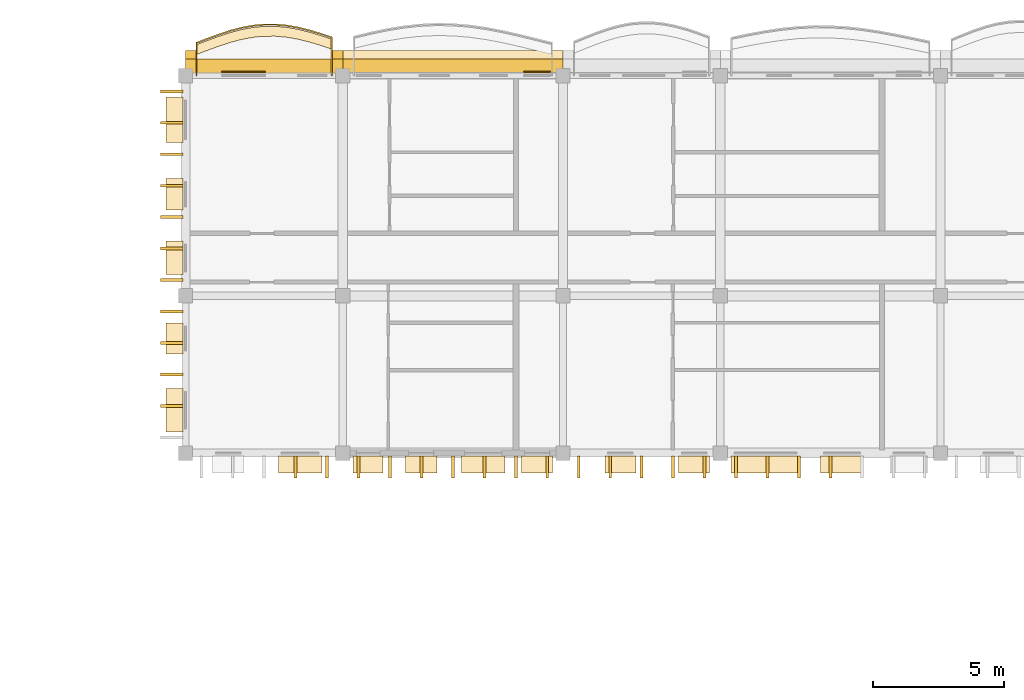
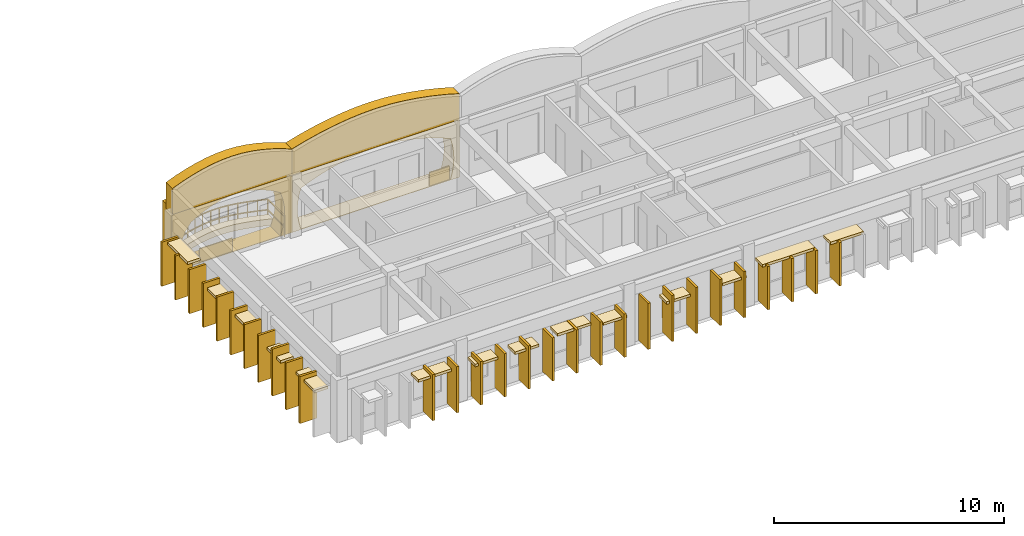
# One storey, part 23 of 28: 50 coverings, 1 railing.
"""IFC4 building model written with IfcOpenShell, lengths in metres."""

from ifc_helpers import new_model, si_unit, direction, frame, origin, origin_2d, place, context, subcontext, project, spatial, polyline, rectangle, outline, extrude, material, layer, layer_set, type_object, element, save


model = new_model("IFC4")

# Units and contexts
model_context = context("Model", 3, precision=1e-05, world=origin(), true_north=direction((0.0, 1.0)))
body_context = subcontext(model_context, "Body", "Model", "MODEL_VIEW")
ifc_project = project(units=[si_unit("LENGTHUNIT", "METRE"), si_unit("AREAUNIT", "SQUARE_METRE"), si_unit("VOLUMEUNIT", "CUBIC_METRE"), si_unit("PLANEANGLEUNIT", "RADIAN"), si_unit("MASSUNIT", "GRAM", prefix="KILO"), si_unit("THERMODYNAMICTEMPERATUREUNIT", "KELVIN")], contexts=[model_context])

# Site, building, storey
site_placement = place(None, origin())
site = spatial("IfcSite", under=ifc_project, at=site_placement, CompositionType="ELEMENT")
building_placement = place(site_placement, origin())
building = spatial("IfcBuilding", under=site, at=building_placement, Name="Thalorik Housing Commons", CompositionType="ELEMENT")
storey_placement = place(building_placement, frame((0.0, 0.0, 41.10009765625)))
storey = spatial("IfcBuildingStorey", under=building, at=storey_placement, Name="L12", CompositionType="ELEMENT", Elevation=41.10009765625)

# Coverings
ifc_material_1 = material(Name="Precast concrete C40/50", Category="concrete")
ifc_layer_1 = layer(ifc_material_1, 0.85009765625, Name="Precast concrete C40/50", Category="concrete")
ifc_layer_set_1 = layer_set([ifc_layer_1], Name="Precast concrete C40/50")
covering_type_1 = type_object("IfcCoveringType", Name="ARC-CLD-CUSH-850", PredefinedType="CLADDING", material=ifc_layer_set_1)
covering_1_placement = place(storey_placement, frame((119.39990234375, 124.12744140625, 0.0), z_axis=(0.0, 0.0, 1.0), x_axis=(-1.0, 0.0, 0.0)))
element("IfcCovering", 1, at=covering_1_placement, inside=storey, type_object=covering_type_1, Name="L12 White Precast Curved Cushion Bay Frame 3278", PredefinedType="CLADDING", context=body_context, shape_type="SweptSolid", body=[
    extrude(outline(polyline([(-4.199951171875, 0.0), (4.199951171875, 0.0), (4.199951171875, 3.300048828125), (-4.199951171875, 3.300048828125), (-4.199951171875, 0.0)]), holes=[polyline([(3.738037109375, 0.02490234375), (3.83544921875, 0.387451171875), (3.89404296875, 0.75), (3.91357421875, 1.112548828125), (3.89404296875, 1.47509765625), (3.83544921875, 1.83740234375), (3.738037109375, 2.199951171875), (3.11328125, 2.455810546875), (2.48828125, 2.656494140625), (1.863525390625, 2.819091796875), (1.23876953125, 2.940185546875), (0.61376953125, 3.014892578125), (-0.010986328125, 3.0400390625), (-0.6357421875, 3.014892578125), (-1.2607421875, 2.940185546875), (-1.885498046875, 2.819091796875), (-2.51025390625, 2.656494140625), (-3.13525390625, 2.455810546875), (-3.760009765625, 2.199951171875), (-3.852783203125, 1.83740234375), (-3.90869140625, 1.47509765625), (-3.92724609375, 1.112548828125), (-3.90869140625, 0.75), (-3.852783203125, 0.387451171875), (-3.760009765625, 0.02490234375), (3.738037109375, 0.02490234375)])]), frame((0.0, 0.425048828125, 0.0), z_axis=(0.0, -1.0, 0.0), x_axis=(1.0, 0.0, 0.0)), (0.0, 0.0, 1.0), 0.85009765625),
])
covering_2_placement = place(storey_placement, frame((112.199951171875, 124.12744140625, 0.0), z_axis=(0.0, 0.0, 1.0), x_axis=(-1.0, 0.0, 0.0)))
element("IfcCovering", 2, at=covering_2_placement, inside=storey, type_object=covering_type_1, Name="L12 White Precast Curved Cushion Bay Frame 3280", PredefinedType="CLADDING", context=body_context, shape_type="SweptSolid", body=[
    extrude(outline(polyline([(-3.0, 0.0), (3.0, 0.0), (3.0, 3.300048828125), (-3.0, 3.300048828125), (-3.0, 0.0)]), holes=[polyline([(2.0400390625, 0.02490234375), (2.3232421875, 0.407470703125), (2.493408203125, 0.7900390625), (2.550048828125, 1.172607421875), (2.493408203125, 1.554931640625), (2.3232421875, 1.9375), (2.0400390625, 2.320068359375), (1.66748046875, 2.539306640625), (1.294921875, 2.711181640625), (0.922607421875, 2.8505859375), (0.550048828125, 2.954345703125), (0.177490234375, 3.018310546875), (-0.195068359375, 3.0400390625), (-0.5673828125, 3.018310546875), (-0.93994140625, 2.954345703125), (-1.3125, 2.8505859375), (-1.68505859375, 2.711181640625), (-2.0576171875, 2.539306640625), (-2.429931640625, 2.320068359375), (-2.55029296875, 1.9375), (-2.62255859375, 1.554931640625), (-2.646484375, 1.172607421875), (-2.62255859375, 0.7900390625), (-2.55029296875, 0.407470703125), (-2.429931640625, 0.02490234375), (2.0400390625, 0.02490234375)])]), frame((0.0, 0.425048828125, 0.0), z_axis=(0.0, -1.0, 0.0), x_axis=(1.0, 0.0, 0.0)), (0.0, 0.0, 1.0), 0.85009765625),
])
ifc_layer_2 = layer(ifc_material_1, 0.85009765625, Name="Precast concrete C40/50", Category="concrete")
ifc_layer_set_2 = layer_set([ifc_layer_2], Name="Precast concrete C40/50")
covering_type_2 = type_object("IfcCoveringType", Name="ARC-CLD-FIN-850", PredefinedType="CLADDING", material=ifc_layer_set_2)
for number, where, z_axis, x_axis, name in (
    (3, (108.672607421875, 123.0, 0.0400390625), (0.0, 0.0, 1.0), (0.0, -1.0, 0.0), "L12 Courtyard Precast Vertical Brise-Soleil Fin 3282"),
    (4, (108.672607421875, 121.800048828125, 0.0400390625), (0.0, 0.0, 1.0), (0.0, -1.0, 0.0), "L12 Courtyard Precast Vertical Brise-Soleil Fin 3283"),
    (5, (108.672607421875, 120.60009765625, 0.0400390625), (0.0, 0.0, 1.0), (0.0, -1.0, 0.0), "L12 Courtyard Precast Vertical Brise-Soleil Fin 3284"),
    (6, (108.672607421875, 119.39990234375, 0.0400390625), (0.0, 0.0, 1.0), (0.0, -1.0, 0.0), "L12 Courtyard Precast Vertical Brise-Soleil Fin 3285"),
    (7, (108.672607421875, 118.199951171875, 0.0400390625), (0.0, 0.0, 1.0), (0.0, -1.0, 0.0), "L12 Courtyard Precast Vertical Brise-Soleil Fin 3286"),
    (8, (108.672607421875, 117.0, 0.0400390625), (0.0, 0.0, 1.0), (0.0, -1.0, 0.0), "L12 Courtyard Precast Vertical Brise-Soleil Fin 3287"),
    (9, (108.672607421875, 115.800048828125, 0.0400390625), (0.0, 0.0, 1.0), (0.0, -1.0, 0.0), "L12 Courtyard Precast Vertical Brise-Soleil Fin 3288"),
):
    element("IfcCovering", number, at=place(storey_placement, frame(where, z_axis=z_axis, x_axis=x_axis)), inside=storey, type_object=covering_type_2, Name=name, PredefinedType="CLADDING", context=body_context, shape_type="SweptSolid", body=[
        extrude(rectangle(XDim=0.110107421875, YDim=0.85009765625, at=origin_2d()), origin(), (0.0, 0.0, 1.0), 2.344970703125),
    ])
for number, where, z_axis, x_axis, name in (
    (10, (108.672607421875, 114.60009765625, 0.039794921875), (0.0, 0.0, 1.0), (0.0, -1.0, 0.0), "L12 Courtyard Precast Vertical Brise-Soleil Fin 3292"),
    (11, (108.672607421875, 113.39990234375, 0.039794921875), (0.0, 0.0, 1.0), (0.0, -1.0, 0.0), "L12 Courtyard Precast Vertical Brise-Soleil Fin 3293"),
    (12, (108.672607421875, 112.199951171875, 0.039794921875), (0.0, 0.0, 1.0), (0.0, -1.0, 0.0), "L12 Courtyard Precast Vertical Brise-Soleil Fin 3294"),
    (13, (108.672607421875, 111.0, 0.039794921875), (0.0, 0.0, 1.0), (0.0, -1.0, 0.0), "L12 Courtyard Precast Vertical Brise-Soleil Fin 3295"),
):
    element("IfcCovering", number, at=place(storey_placement, frame(where, z_axis=z_axis, x_axis=x_axis)), inside=storey, type_object=covering_type_2, Name=name, PredefinedType="CLADDING", context=body_context, shape_type="SweptSolid", body=[
        extrude(rectangle(XDim=0.110107421875, YDim=0.85009765625, at=origin_2d()), origin(), (0.0, 0.0, 1.0), 2.4951171875),
    ])
for number, where, z_axis, x_axis, name in (
    (14, (113.39990234375, 108.672607421875, 0.0400390625), (0.0, 0.0, 1.0), (1.0, 0.0, 0.0), "L12 Courtyard Precast Vertical Brise-Soleil Fin 3302"),
    (15, (114.60009765625, 108.672607421875, 0.0400390625), (0.0, 0.0, 1.0), (1.0, 0.0, 0.0), "L12 Courtyard Precast Vertical Brise-Soleil Fin 3303"),
):
    element("IfcCovering", number, at=place(storey_placement, frame(where, z_axis=z_axis, x_axis=x_axis)), inside=storey, type_object=covering_type_2, Name=name, PredefinedType="CLADDING", context=body_context, shape_type="SweptSolid", body=[
        extrude(rectangle(XDim=0.110107421875, YDim=0.85009765625, at=origin_2d()), origin(), (0.0, 0.0, 1.0), 2.445068359375),
    ])
for number, where, z_axis, x_axis, name in (
    (16, (115.800048828125, 108.672607421875, 0.0400390625), (0.0, 0.0, 1.0), (1.0, 0.0, 0.0), "L12 Courtyard Precast Vertical Brise-Soleil Fin 3306"),
    (17, (117.0, 108.672607421875, 0.0400390625), (0.0, 0.0, 1.0), (1.0, 0.0, 0.0), "L12 Courtyard Precast Vertical Brise-Soleil Fin 3307"),
    (18, (118.199951171875, 108.672607421875, 0.0400390625), (0.0, 0.0, 1.0), (1.0, 0.0, 0.0), "L12 Courtyard Precast Vertical Brise-Soleil Fin 3308"),
    (19, (119.39990234375, 108.672607421875, 0.0400390625), (0.0, 0.0, 1.0), (1.0, 0.0, 0.0), "L12 Courtyard Precast Vertical Brise-Soleil Fin 3309"),
    (20, (120.60009765625, 108.672607421875, 0.0400390625), (0.0, 0.0, 1.0), (1.0, 0.0, 0.0), "L12 Courtyard Precast Vertical Brise-Soleil Fin 3310"),
    (21, (121.800048828125, 108.672607421875, 0.0400390625), (0.0, 0.0, 1.0), (1.0, 0.0, 0.0), "L12 Courtyard Precast Vertical Brise-Soleil Fin 3311"),
    (22, (123.0, 108.672607421875, 0.0400390625), (0.0, 0.0, 1.0), (1.0, 0.0, 0.0), "L12 Courtyard Precast Vertical Brise-Soleil Fin 3312"),
):
    element("IfcCovering", number, at=place(storey_placement, frame(where, z_axis=z_axis, x_axis=x_axis)), inside=storey, type_object=covering_type_2, Name=name, PredefinedType="CLADDING", context=body_context, shape_type="SweptSolid", body=[
        extrude(rectangle(XDim=0.110107421875, YDim=0.85009765625, at=origin_2d()), origin(), (0.0, 0.0, 1.0), 2.294921875),
    ])
for number, where, z_axis, x_axis, name in (
    (23, (124.199951171875, 108.672607421875, 0.0400390625), (0.0, 0.0, 1.0), (1.0, 0.0, 0.0), "L12 Courtyard Precast Vertical Brise-Soleil Fin 3317"),
    (24, (125.39990234375, 108.672607421875, 0.0400390625), (0.0, 0.0, 1.0), (1.0, 0.0, 0.0), "L12 Courtyard Precast Vertical Brise-Soleil Fin 3318"),
    (25, (126.60009765625, 108.672607421875, 0.0400390625), (0.0, 0.0, 1.0), (1.0, 0.0, 0.0), "L12 Courtyard Precast Vertical Brise-Soleil Fin 3319"),
    (26, (127.800048828125, 108.672607421875, 0.0400390625), (0.0, 0.0, 1.0), (1.0, 0.0, 0.0), "L12 Courtyard Precast Vertical Brise-Soleil Fin 3320"),
    (27, (129.0, 108.672607421875, 0.0400390625), (0.0, 0.0, 1.0), (1.0, 0.0, 0.0), "L12 Courtyard Precast Vertical Brise-Soleil Fin 3321"),
):
    element("IfcCovering", number, at=place(storey_placement, frame(where, z_axis=z_axis, x_axis=x_axis)), inside=storey, type_object=covering_type_2, Name=name, PredefinedType="CLADDING", context=body_context, shape_type="SweptSolid", body=[
        extrude(rectangle(XDim=0.110107421875, YDim=0.85009765625, at=origin_2d()), origin(), (0.0, 0.0, 1.0), 2.445068359375),
    ])
for number, where, z_axis, x_axis, name in (
    (28, (130.199951171875, 108.672607421875, 0.0400390625), (0.0, 0.0, 1.0), (1.0, 0.0, 0.0), "L12 Courtyard Precast Vertical Brise-Soleil Fin 3324"),
    (29, (131.39990234375, 108.672607421875, 0.0400390625), (0.0, 0.0, 1.0), (1.0, 0.0, 0.0), "L12 Courtyard Precast Vertical Brise-Soleil Fin 3325"),
    (30, (132.60009765625, 108.672607421875, 0.0400390625), (0.0, 0.0, 1.0), (1.0, 0.0, 0.0), "L12 Courtyard Precast Vertical Brise-Soleil Fin 3326"),
    (31, (133.800048828125, 108.672607421875, 0.0400390625), (0.0, 0.0, 1.0), (1.0, 0.0, 0.0), "L12 Courtyard Precast Vertical Brise-Soleil Fin 3327"),
):
    element("IfcCovering", number, at=place(storey_placement, frame(where, z_axis=z_axis, x_axis=x_axis)), inside=storey, type_object=covering_type_2, Name=name, PredefinedType="CLADDING", context=body_context, shape_type="SweptSolid", body=[
        extrude(rectangle(XDim=0.110107421875, YDim=0.85009765625, at=origin_2d()), origin(), (0.0, 0.0, 1.0), 2.294921875),
    ])
ifc_layer_3 = layer(ifc_material_1, 0.64990234375, Name="Precast concrete C40/50", Category="concrete")
ifc_layer_set_3 = layer_set([ifc_layer_3], Name="Precast concrete C40/50")
covering_type_3 = type_object("IfcCoveringType", Name="ARC-CLD-HOOD-650", PredefinedType="CLADDING", material=ifc_layer_set_3)
covering_3_placement = place(storey_placement, frame((108.7724609375, 121.91748046875, 2.27490234375), z_axis=(0.0, 0.0, 1.0), x_axis=(0.0, -1.0, 0.0)))
element("IfcCovering", 32, at=covering_3_placement, inside=storey, type_object=covering_type_3, Name="L12 Courtyard Precast Window Sun-Hood 3289", PredefinedType="CLADDING", context=body_context, shape_type="SweptSolid", body=[
    extrude(rectangle(XDim=1.739990234375, YDim=0.64990234375, at=origin_2d()), origin(), (0.0, 0.0, 1.0), 0.139892578125),
])
covering_4_placement = place(storey_placement, frame((108.7724609375, 119.072509765625, 1.93994140625), z_axis=(0.0, 0.0, 1.0), x_axis=(0.0, -1.0, 0.0)))
element("IfcCovering", 33, at=covering_4_placement, inside=storey, type_object=covering_type_3, Name="L12 Courtyard Precast Window Sun-Hood 3290", PredefinedType="CLADDING", context=body_context, shape_type="SweptSolid", body=[
    extrude(rectangle(XDim=1.18994140625, YDim=0.64990234375, at=origin_2d()), origin(), (0.0, 0.0, 1.0), 0.139892578125),
])
covering_5_placement = place(storey_placement, frame((108.7724609375, 116.64990234375, 1.98974609375), z_axis=(0.0, 0.0, 1.0), x_axis=(0.0, -1.0, 0.0)))
element("IfcCovering", 34, at=covering_5_placement, inside=storey, type_object=covering_type_3, Name="L12 Courtyard Precast Window Sun-Hood 3291", PredefinedType="CLADDING", context=body_context, shape_type="SweptSolid", body=[
    extrude(rectangle(XDim=1.2900390625, YDim=0.64990234375, at=origin_2d()), origin(), (0.0, 0.0, 1.0), 0.139892578125),
])
covering_6_placement = place(storey_placement, frame((108.7724609375, 113.570068359375, 1.93994140625), z_axis=(0.0, 0.0, 1.0), x_axis=(0.0, -1.0, 0.0)))
element("IfcCovering", 35, at=covering_6_placement, inside=storey, type_object=covering_type_3, Name="L12 Courtyard Precast Window Sun-Hood 3297", PredefinedType="CLADDING", context=body_context, shape_type="SweptSolid", body=[
    extrude(rectangle(XDim=1.18994140625, YDim=0.64990234375, at=origin_2d()), origin(), (0.0, 0.0, 1.0), 0.139892578125),
])
for number, where, z_axis, x_axis, name in (
    (36, (108.7724609375, 110.830078125, 2.169921875), (0.0, 0.0, 1.0), (0.0, -1.0, 0.0), "L12 Courtyard Precast Window Sun-Hood 3298"),
    (37, (113.570068359375, 108.7724609375, 2.169921875), (0.0, 0.0, 1.0), (1.0, 0.0, 0.0), "L12 Courtyard Precast Window Sun-Hood 3305"),
):
    element("IfcCovering", number, at=place(storey_placement, frame(where, z_axis=z_axis, x_axis=x_axis)), inside=storey, type_object=covering_type_3, Name=name, PredefinedType="CLADDING", context=body_context, shape_type="SweptSolid", body=[
        extrude(rectangle(XDim=1.659912109375, YDim=0.64990234375, at=origin_2d()), origin(), (0.0, 0.0, 1.0), 0.139892578125),
    ])
covering_7_placement = place(storey_placement, frame((116.16259765625, 108.7724609375, 1.98974609375), z_axis=(0.0, 0.0, 1.0), x_axis=(1.0, 0.0, 0.0)))
element("IfcCovering", 38, at=covering_7_placement, inside=storey, type_object=covering_type_3, Name="L12 Courtyard Precast Window Sun-Hood 3313", PredefinedType="CLADDING", context=body_context, shape_type="SweptSolid", body=[
    extrude(rectangle(XDim=1.139892578125, YDim=0.64990234375, at=origin_2d()), origin(), (0.0, 0.0, 1.0), 0.139892578125),
])
covering_8_placement = place(storey_placement, frame((118.188720703125, 108.7724609375, 1.93994140625), z_axis=(0.0, 0.0, 1.0), x_axis=(1.0, 0.0, 0.0)))
element("IfcCovering", 39, at=covering_8_placement, inside=storey, type_object=covering_type_3, Name="L12 Courtyard Precast Window Sun-Hood 3314", PredefinedType="CLADDING", context=body_context, shape_type="SweptSolid", body=[
    extrude(rectangle(XDim=1.18994140625, YDim=0.64990234375, at=origin_2d()), origin(), (0.0, 0.0, 1.0), 0.139892578125),
])
covering_9_placement = place(storey_placement, frame((120.556396484375, 108.7724609375, 2.169921875), z_axis=(0.0, 0.0, 1.0), x_axis=(1.0, 0.0, 0.0)))
element("IfcCovering", 40, at=covering_9_placement, inside=storey, type_object=covering_type_3, Name="L12 Courtyard Precast Window Sun-Hood 3315", PredefinedType="CLADDING", context=body_context, shape_type="SweptSolid", body=[
    extrude(rectangle(XDim=1.659912109375, YDim=0.64990234375, at=origin_2d()), origin(), (0.0, 0.0, 1.0), 0.139892578125),
])
for number, where, z_axis, x_axis, name in (
    (41, (122.610107421875, 108.7724609375, 1.93994140625), (0.0, 0.0, 1.0), (1.0, 0.0, 0.0), "L12 Courtyard Precast Window Sun-Hood 3316"),
    (42, (125.7900390625, 108.7724609375, 1.93994140625), (0.0, 0.0, 1.0), (1.0, 0.0, 0.0), "L12 Courtyard Precast Window Sun-Hood 3322"),
    (43, (128.60009765625, 108.7724609375, 1.93994140625), (0.0, 0.0, 1.0), (1.0, 0.0, 0.0), "L12 Courtyard Precast Window Sun-Hood 3323"),
):
    element("IfcCovering", number, at=place(storey_placement, frame(where, z_axis=z_axis, x_axis=x_axis)), inside=storey, type_object=covering_type_3, Name=name, PredefinedType="CLADDING", context=body_context, shape_type="SweptSolid", body=[
        extrude(rectangle(XDim=1.18994140625, YDim=0.64990234375, at=origin_2d()), origin(), (0.0, 0.0, 1.0), 0.139892578125),
    ])
covering_10_placement = place(storey_placement, frame((131.320068359375, 108.7724609375, 2.22509765625), z_axis=(0.0, 0.0, 1.0), x_axis=(1.0, 0.0, 0.0)))
element("IfcCovering", 44, at=covering_10_placement, inside=storey, type_object=covering_type_3, Name="L12 Courtyard Precast Window Sun-Hood 3331", PredefinedType="CLADDING", context=body_context, shape_type="SweptSolid", body=[
    extrude(rectangle(XDim=2.6201171875, YDim=0.64990234375, at=origin_2d()), origin(), (0.0, 0.0, 1.0), 0.139892578125),
])
covering_11_placement = place(storey_placement, frame((134.239990234375, 108.7724609375, 2.22509765625), z_axis=(0.0, 0.0, 1.0), x_axis=(1.0, 0.0, 0.0)))
element("IfcCovering", 45, at=covering_11_placement, inside=storey, type_object=covering_type_3, Name="L12 Courtyard Precast Window Sun-Hood 3332", PredefinedType="CLADDING", context=body_context, shape_type="SweptSolid", body=[
    extrude(rectangle(XDim=1.639892578125, YDim=0.64990234375, at=origin_2d()), origin(), (0.0, 0.0, 1.0), 0.139892578125),
])
ifc_layer_4 = layer(ifc_material_1, 0.550048828125, Name="Precast concrete C40/50", Category="concrete")
ifc_layer_set_4 = layer_set([ifc_layer_4], Name="Precast concrete C40/50")
covering_type_4 = type_object("IfcCoveringType", Name="ARC-CLD-PAR-550", PredefinedType="CLADDING", material=ifc_layer_set_4)
covering_12_placement = place(storey_placement, frame((119.39990234375, 123.965087890625, 3.059814453125), z_axis=(0.0, 0.0, 1.0), x_axis=(-1.0, 0.0, 0.0)))
element("IfcCovering", 46, at=covering_12_placement, inside=storey, type_object=covering_type_4, Name="L12 Block B Scalloped White Precast Parapet Crest 3409", PredefinedType="CLADDING", context=body_context, shape_type="SweptSolid", body=[
    extrude(outline(polyline([(-4.199951171875, 0.0), (4.199951171875, 0.0), (4.199951171875, 1.3798828125), (3.5, 1.58154296875), (2.800048828125, 1.744384765625), (2.10009765625, 1.877685546875), (1.39990234375, 1.977294921875), (0.699951171875, 2.0390625), (0.0, 2.06005859375), (-0.699951171875, 2.0390625), (-1.39990234375, 1.977294921875), (-2.10009765625, 1.877685546875), (-2.800048828125, 1.744384765625), (-3.5, 1.58154296875), (-4.199951171875, 1.3798828125), (-4.199951171875, 0.0)])), frame((0.0, 0.27490234375, 0.0), z_axis=(0.0, -1.0, 0.0), x_axis=(1.0, 0.0, 0.0)), (0.0, 0.0, 1.0), 0.550048828125),
])
covering_13_placement = place(storey_placement, frame((112.199951171875, 123.965087890625, 3.059814453125), z_axis=(0.0, 0.0, 1.0), x_axis=(-1.0, 0.0, 0.0)))
element("IfcCovering", 47, at=covering_13_placement, inside=storey, type_object=covering_type_4, Name="L12 Block B Scalloped White Precast Parapet Crest 3410", PredefinedType="CLADDING", context=body_context, shape_type="SweptSolid", body=[
    extrude(outline(polyline([(-3.0, 0.0), (3.0, 0.0), (3.0, 1.3798828125), (2.5, 1.58154296875), (2.0, 1.744384765625), (1.5, 1.877685546875), (1.0, 1.977294921875), (0.5, 2.0390625), (0.0, 2.06005859375), (-0.5, 2.0390625), (-1.0, 1.977294921875), (-1.5, 1.877685546875), (-2.0, 1.744384765625), (-2.5, 1.58154296875), (-3.0, 1.3798828125), (-3.0, 0.0)])), frame((0.0, 0.27490234375, 0.0), z_axis=(0.0, -1.0, 0.0), x_axis=(1.0, 0.0, 0.0)), (0.0, 0.0, 1.0), 0.550048828125),
])
ifc_material_2 = material(Name="Terracotta red mineral fibre-cement panel", Category="masonry")
ifc_layer_5 = layer(ifc_material_2, 0.054931640625, Name="Terracotta red mineral fibre-cement panel", Category="masonry")
ifc_layer_set_5 = layer_set([ifc_layer_5], Name="Terracotta red mineral fibre-cement panel")
covering_type_5 = type_object("IfcCoveringType", Name="ARC-CLD-RED-55", PredefinedType="CLADDING", material=ifc_layer_set_5)
covering_14_placement = place(storey_placement, frame((111.409912109375, 123.735107421875, 0.0498046875), z_axis=(0.0, 0.0, 1.0), x_axis=(-1.0, 0.0, 0.0)))
element("IfcCovering", 48, at=covering_14_placement, inside=storey, type_object=covering_type_5, Name="L12 De Stijl Recessed Window Spandrel 3281", PredefinedType="CLADDING", context=body_context, shape_type="SweptSolid", body=[
    extrude(rectangle(XDim=1.64990234375, YDim=0.054931640625, at=origin_2d()), origin(), (0.0, 0.0, 1.0), 0.699951171875),
])
ifc_material_3 = material(Name="Mineral ochre architectural terracotta panel", Category="masonry")
ifc_layer_6 = layer(ifc_material_3, 0.06494140625, Name="Mineral ochre architectural terracotta panel", Category="masonry")
ifc_layer_set_6 = layer_set([ifc_layer_6], Name="Mineral ochre architectural terracotta panel")
covering_type_6 = type_object("IfcCoveringType", Name="ARC-CLD-YEL-65", PredefinedType="CLADDING", material=ifc_layer_set_6)
covering_15_placement = place(storey_placement, frame((122.610107421875, 123.739990234375, 0.0498046875), z_axis=(0.0, 0.0, 1.0), x_axis=(-1.0, 0.0, 0.0)))
element("IfcCovering", 49, at=covering_15_placement, inside=storey, type_object=covering_type_6, Name="L12 De Stijl Recessed Window Spandrel 3279", PredefinedType="CLADDING", context=body_context, shape_type="SweptSolid", body=[
    extrude(rectangle(XDim=1.0, YDim=0.06494140625, at=origin_2d()), origin(), (0.0, 0.0, 1.0), 0.699951171875),
])
ifc_material_4 = material(Name="Planted vegetated substrate and terracotta trough", Category="masonry")
ifc_layer_7 = layer(ifc_material_4, 0.340087890625, Name="Planted vegetated substrate and terracotta trough", Category="masonry")
ifc_layer_set_7 = layer_set([ifc_layer_7], Name="Planted vegetated substrate and terracotta trough")
covering_type_7 = type_object("IfcCoveringType", Name="ARC-COV-PLANTER", PredefinedType="USERDEFINED", material=ifc_layer_set_7)
covering_16_placement = place(storey_placement, origin())
element("IfcCovering", 50, at=covering_16_placement, inside=storey, type_object=covering_type_7, Name="L12 Balcony Slab-Edge Planted Trough 5558", ObjectType="PLANTER", PredefinedType="USERDEFINED", context=body_context, shape_type="SweptSolid", body=[
    extrude(outline(polyline([(114.780029296875, 124.989501953125), (114.35009765625, 125.1318359375), (113.919921875, 125.260986328125), (113.489990234375, 125.366943359375), (113.06005859375, 125.4423828125), (112.6298828125, 125.481201171875), (112.199951171875, 125.480224609375), (111.77001953125, 125.4384765625), (111.340087890625, 125.358154296875), (110.909912109375, 125.244384765625), (110.47998046875, 125.10400390625), (110.050048828125, 124.946533203125), (109.6201171875, 124.781982421875), (109.6201171875, 124.402099609375), (110.050048828125, 124.56640625), (110.47998046875, 124.72412109375), (110.909912109375, 124.864501953125), (111.340087890625, 124.978271484375), (111.77001953125, 125.058349609375), (112.199951171875, 125.10009765625), (112.6298828125, 125.101318359375), (113.06005859375, 125.0625), (113.489990234375, 124.987060546875), (113.919921875, 124.880859375), (114.35009765625, 124.751953125), (114.780029296875, 124.609619140625), (114.780029296875, 124.989501953125)])), origin(), (0.0, 0.0, 1.0), 0.33984375),
])

# Railing
ifc_material_5 = material(Name="Steel S355", Category="steel")
railing_type = type_object("IfcRailingType", Name="ARC-RL-BAL-112", PredefinedType="BALUSTRADE", material=ifc_material_5)
railing_placement = place(storey_placement, frame((114.780029296875, 123.60009765625, 0.0)))
element("IfcRailing", 51, at=railing_placement, inside=storey, type_object=railing_type, Name="L12 Cushion Balcony Guardrail 242", PredefinedType="BALUSTRADE", context=body_context, shape_type="SweptSolid", body=[
    extrude(rectangle(XDim=0.050048828125, YDim=0.050048828125, at=origin_2d()), frame((0.0, 0.0, 1.09521484375), z_axis=(0.0, 1.0, 0.0), x_axis=(-1.0, 0.0, 0.0)), (0.0, 0.0, 1.0), 1.45947265625),
    extrude(rectangle(XDim=0.050048828125, YDim=0.050048828125, at=origin_2d()), frame((0.0, 0.0, 0.53515625), z_axis=(0.0, 1.0, 0.0), x_axis=(-1.0, 0.0, 0.0)), (0.0, 0.0, 1.0), 1.45947265625),
    extrude(rectangle(XDim=0.050048828125, YDim=0.050048828125, at=origin_2d()), frame((0.0, 1.45947265625, 1.09521484375), z_axis=(-0.949328214695, 0.3142863993, 0.0), x_axis=(-0.3142863993, -0.949328214695, 0.0)), (0.0, 0.0, 1.0), 0.452880859375),
    extrude(rectangle(XDim=0.050048828125, YDim=0.050048828125, at=origin_2d()), frame((0.0, 1.45947265625, 0.53515625), z_axis=(-0.949328214695, 0.3142863993, 0.0), x_axis=(-0.3142863993, -0.949328214695, 0.0)), (0.0, 0.0, 1.0), 0.452880859375),
    extrude(rectangle(XDim=0.050048828125, YDim=0.050048828125, at=origin_2d()), frame((-0.429931640625, 1.601806640625, 1.09521484375), z_axis=(-0.957916015978, 0.287048613188, 0.0), x_axis=(-0.287048613188, -0.957916015978, 0.0)), (0.0, 0.0, 1.0), 0.448974609375),
    extrude(rectangle(XDim=0.050048828125, YDim=0.050048828125, at=origin_2d()), frame((-0.429931640625, 1.601806640625, 0.53515625), z_axis=(-0.957916015978, 0.287048613188, 0.0), x_axis=(-0.287048613188, -0.957916015978, 0.0)), (0.0, 0.0, 1.0), 0.448974609375),
    extrude(rectangle(XDim=0.050048828125, YDim=0.050048828125, at=origin_2d()), frame((-0.860107421875, 1.730712890625, 1.09521484375), z_axis=(-0.970819679707, 0.23981065342, 0.0), x_axis=(-0.23981065342, -0.970819679707, 0.0)), (0.0, 0.0, 1.0), 0.44287109375),
    extrude(rectangle(XDim=0.050048828125, YDim=0.050048828125, at=origin_2d()), frame((-0.860107421875, 1.730712890625, 0.53515625), z_axis=(-0.970819679707, 0.23981065342, 0.0), x_axis=(-0.23981065342, -0.970819679707, 0.0)), (0.0, 0.0, 1.0), 0.44287109375),
    extrude(rectangle(XDim=0.050048828125, YDim=0.050048828125, at=origin_2d()), frame((-1.2900390625, 1.8369140625, 1.09521484375), z_axis=(-0.984952013954, 0.17282803652, 0.0), x_axis=(-0.17282803652, -0.984952013954, 0.0)), (0.0, 0.0, 1.0), 0.4365234375),
    extrude(rectangle(XDim=0.050048828125, YDim=0.050048828125, at=origin_2d()), frame((-1.2900390625, 1.8369140625, 0.53515625), z_axis=(-0.984952013954, 0.17282803652, 0.0), x_axis=(-0.17282803652, -0.984952013954, 0.0)), (0.0, 0.0, 1.0), 0.4365234375),
    extrude(rectangle(XDim=0.050048828125, YDim=0.050048828125, at=origin_2d()), frame((-1.719970703125, 1.912353515625, 1.09521484375), z_axis=(-0.995953216598, 0.089873190374, 0.0), x_axis=(-0.089873190374, -0.995953216598, 0.0)), (0.0, 0.0, 1.0), 0.431884765625),
    extrude(rectangle(XDim=0.050048828125, YDim=0.050048828125, at=origin_2d()), frame((-1.719970703125, 1.912353515625, 0.53515625), z_axis=(-0.995953216598, 0.089873190374, 0.0), x_axis=(-0.089873190374, -0.995953216598, 0.0)), (0.0, 0.0, 1.0), 0.431884765625),
    extrude(rectangle(XDim=0.050048828125, YDim=0.050048828125, at=origin_2d()), frame((-2.150146484375, 1.951171875, 1.09521484375), z_axis=(-0.999997420298, -0.002271430824, 0.0), x_axis=(0.002271430824, -0.999997420298, 0.0)), (0.0, 0.0, 1.0), 0.429931640625),
    extrude(rectangle(XDim=0.050048828125, YDim=0.050048828125, at=origin_2d()), frame((-2.150146484375, 1.951171875, 0.53515625), z_axis=(-0.999997420298, -0.002271430824, 0.0), x_axis=(0.002271430824, -0.999997420298, 0.0)), (0.0, 0.0, 1.0), 0.429931640625),
    extrude(rectangle(XDim=0.050048828125, YDim=0.050048828125, at=origin_2d()), frame((-2.580078125, 1.9501953125, 1.09521484375), z_axis=(-0.995263970634, -0.097209200993, 0.0), x_axis=(0.097209200993, -0.995263970634, 0.0)), (0.0, 0.0, 1.0), 0.431884765625),
    extrude(rectangle(XDim=0.050048828125, YDim=0.050048828125, at=origin_2d()), frame((-2.580078125, 1.9501953125, 0.53515625), z_axis=(-0.995263970634, -0.097209200993, 0.0), x_axis=(0.097209200993, -0.995263970634, 0.0)), (0.0, 0.0, 1.0), 0.431884765625),
    extrude(rectangle(XDim=0.050048828125, YDim=0.050048828125, at=origin_2d()), frame((-3.010009765625, 1.908203125, 1.09521484375), z_axis=(-0.983092675585, -0.183108686878, 0.0), x_axis=(0.183108686878, -0.983092675585, 0.0)), (0.0, 0.0, 1.0), 0.437255859375),
    extrude(rectangle(XDim=0.050048828125, YDim=0.050048828125, at=origin_2d()), frame((-3.010009765625, 1.908203125, 0.53515625), z_axis=(-0.983092675585, -0.183108686878, 0.0), x_axis=(0.183108686878, -0.983092675585, 0.0)), (0.0, 0.0, 1.0), 0.437255859375),
    extrude(rectangle(XDim=0.050048828125, YDim=0.050048828125, at=origin_2d()), frame((-3.43994140625, 1.828125, 1.09521484375), z_axis=(-0.966761092232, -0.255681423939, 0.0), x_axis=(0.255681423939, -0.966761092232, 0.0)), (0.0, 0.0, 1.0), 0.445068359375),
    extrude(rectangle(XDim=0.050048828125, YDim=0.050048828125, at=origin_2d()), frame((-3.43994140625, 1.828125, 0.53515625), z_axis=(-0.966761092232, -0.255681423939, 0.0), x_axis=(0.255681423939, -0.966761092232, 0.0)), (0.0, 0.0, 1.0), 0.445068359375),
    extrude(rectangle(XDim=0.050048828125, YDim=0.050048828125, at=origin_2d()), frame((-3.8701171875, 1.71435546875, 1.09521484375), z_axis=(-0.950608707094, -0.310391826564, 0.0), x_axis=(0.310391826564, -0.950608707094, 0.0)), (0.0, 0.0, 1.0), 0.4521484375),
    extrude(rectangle(XDim=0.050048828125, YDim=0.050048828125, at=origin_2d()), frame((-3.8701171875, 1.71435546875, 0.53515625), z_axis=(-0.950608707094, -0.310391826564, 0.0), x_axis=(0.310391826564, -0.950608707094, 0.0)), (0.0, 0.0, 1.0), 0.4521484375),
    extrude(rectangle(XDim=0.050048828125, YDim=0.050048828125, at=origin_2d()), frame((-4.300048828125, 1.573974609375, 1.09521484375), z_axis=(-0.938996898156, -0.343925610057, 0.0), x_axis=(0.343925610057, -0.938996898156, 0.0)), (0.0, 0.0, 1.0), 0.457763671875),
    extrude(rectangle(XDim=0.050048828125, YDim=0.050048828125, at=origin_2d()), frame((-4.300048828125, 1.573974609375, 0.53515625), z_axis=(-0.938996898156, -0.343925610057, 0.0), x_axis=(0.343925610057, -0.938996898156, 0.0)), (0.0, 0.0, 1.0), 0.457763671875),
    extrude(rectangle(XDim=0.050048828125, YDim=0.050048828125, at=origin_2d()), frame((-4.72998046875, 1.41650390625, 1.09521484375), z_axis=(-0.933932105252, -0.357450448007, 0.0), x_axis=(0.357450448007, -0.933932105252, 0.0)), (0.0, 0.0, 1.0), 0.46044921875),
    extrude(rectangle(XDim=0.050048828125, YDim=0.050048828125, at=origin_2d()), frame((-4.72998046875, 1.41650390625, 0.53515625), z_axis=(-0.933932105252, -0.357450448007, 0.0), x_axis=(0.357450448007, -0.933932105252, 0.0)), (0.0, 0.0, 1.0), 0.46044921875),
    extrude(rectangle(XDim=0.050048828125, YDim=0.050048828125, at=origin_2d()), frame((-5.159912109375, 1.251953125, 1.09521484375), z_axis=(0.0, -1.0, 0.0), x_axis=(1.0, 0.0, 0.0)), (0.0, 0.0, 1.0), 1.251953125),
    extrude(rectangle(XDim=0.050048828125, YDim=0.050048828125, at=origin_2d()), frame((-5.159912109375, 1.251953125, 0.53515625), z_axis=(0.0, -1.0, 0.0), x_axis=(1.0, 0.0, 0.0)), (0.0, 0.0, 1.0), 1.251953125),
    extrude(rectangle(XDim=0.0419921875, YDim=0.0419921875, at=origin_2d()), origin(), (0.0, 0.0, 1.0), 1.070068359375),
    extrude(rectangle(XDim=0.0419921875, YDim=0.0419921875, at=origin_2d()), frame((0.0, 1.45947265625, 0.0)), (0.0, 0.0, 1.0), 1.070068359375),
    extrude(rectangle(XDim=0.0419921875, YDim=0.0419921875, at=origin_2d()), frame((-0.429931640625, 1.601806640625, 0.0)), (0.0, 0.0, 1.0), 1.070068359375),
    extrude(rectangle(XDim=0.0419921875, YDim=0.0419921875, at=origin_2d()), frame((-0.860107421875, 1.730712890625, 0.0)), (0.0, 0.0, 1.0), 1.070068359375),
    extrude(rectangle(XDim=0.0419921875, YDim=0.0419921875, at=origin_2d()), frame((-1.2900390625, 1.8369140625, 0.0)), (0.0, 0.0, 1.0), 1.070068359375),
    extrude(rectangle(XDim=0.0419921875, YDim=0.0419921875, at=origin_2d()), frame((-1.719970703125, 1.912353515625, 0.0)), (0.0, 0.0, 1.0), 1.070068359375),
    extrude(rectangle(XDim=0.0419921875, YDim=0.0419921875, at=origin_2d()), frame((-2.150146484375, 1.951171875, 0.0)), (0.0, 0.0, 1.0), 1.070068359375),
    extrude(rectangle(XDim=0.0419921875, YDim=0.0419921875, at=origin_2d()), frame((-2.580078125, 1.9501953125, 0.0)), (0.0, 0.0, 1.0), 1.070068359375),
    extrude(rectangle(XDim=0.0419921875, YDim=0.0419921875, at=origin_2d()), frame((-3.010009765625, 1.908203125, 0.0)), (0.0, 0.0, 1.0), 1.070068359375),
    extrude(rectangle(XDim=0.0419921875, YDim=0.0419921875, at=origin_2d()), frame((-3.43994140625, 1.828125, 0.0)), (0.0, 0.0, 1.0), 1.070068359375),
    extrude(rectangle(XDim=0.0419921875, YDim=0.0419921875, at=origin_2d()), frame((-3.8701171875, 1.71435546875, 0.0)), (0.0, 0.0, 1.0), 1.070068359375),
    extrude(rectangle(XDim=0.0419921875, YDim=0.0419921875, at=origin_2d()), frame((-4.300048828125, 1.573974609375, 0.0)), (0.0, 0.0, 1.0), 1.070068359375),
    extrude(rectangle(XDim=0.0419921875, YDim=0.0419921875, at=origin_2d()), frame((-4.72998046875, 1.41650390625, 0.0)), (0.0, 0.0, 1.0), 1.070068359375),
    extrude(rectangle(XDim=0.0419921875, YDim=0.0419921875, at=origin_2d()), frame((-5.159912109375, 1.251953125, 0.0)), (0.0, 0.0, 1.0), 1.070068359375),
    extrude(rectangle(XDim=0.0419921875, YDim=0.0419921875, at=origin_2d()), frame((-5.159912109375, 0.0, 0.0)), (0.0, 0.0, 1.0), 1.070068359375),
])

save(model, "model.ifc")
